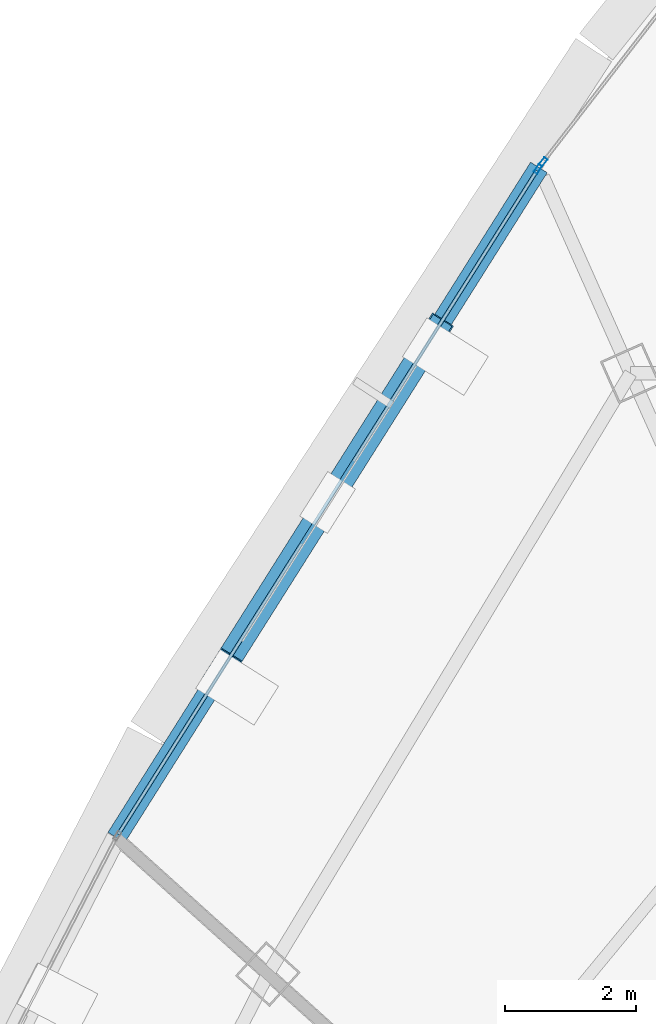
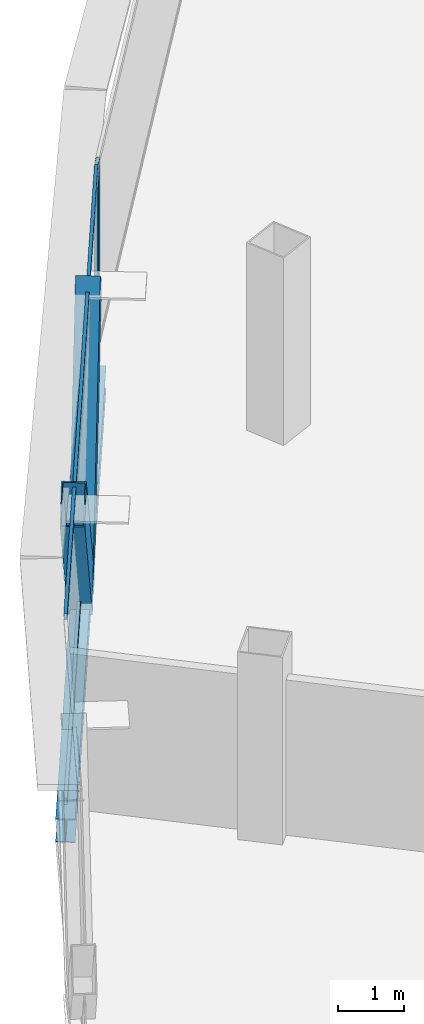
# One storey, part 16 of 27: 6 members, 1 beam, 2 elements without a shape of their own.
"""IFC4 building model written with IfcOpenShell, lengths in metres."""

from ifc_helpers import new_model, si_unit, direction, frame, origin, origin_2d, place, context, subcontext, project, spatial, hollow_rectangle, i_section, extrude, source, transform, mapped, material, layer, layer_set, material_profile, profile_set, type_object, element, aggregate, save


model = new_model("IFC4")

# Units and contexts
model_context = context("Model", 3, precision=1e-05, world=origin(), true_north=direction((0.0, 1.0)))
body_context = subcontext(model_context, "Body", "Model", "MODEL_VIEW")
ifc_project = project(units=[si_unit("LENGTHUNIT", "METRE"), si_unit("AREAUNIT", "SQUARE_METRE"), si_unit("VOLUMEUNIT", "CUBIC_METRE"), si_unit("PLANEANGLEUNIT", "RADIAN"), si_unit("MASSUNIT", "GRAM", prefix="KILO"), si_unit("THERMODYNAMICTEMPERATUREUNIT", "KELVIN"), si_unit("POWERUNIT", "WATT")], contexts=[model_context])

# Site, building, storey
site_placement = place(None, origin())
site = spatial("IfcSite", under=ifc_project, at=site_placement, CompositionType="ELEMENT")
building_placement = place(site_placement, origin())
building = spatial("IfcBuilding", under=site, at=building_placement, Name="Yunzhuo Pagoda Commons", CompositionType="ELEMENT")
storey_placement = place(building_placement, frame((0.0, 0.0, 344.260009765625)))
storey = spatial("IfcBuildingStorey", under=building, at=storey_placement, Name="L86", CompositionType="ELEMENT", Elevation=344.260009765625)

# Beam
ifc_material_1 = material(Name="Structural steel Q355B", Category="steel")
ifc_material_profile_1 = material_profile(ifc_material_1, i_section(OverallWidth=0.300048828125, OverallDepth=0.43994140625, WebThickness=0.010986328125, FlangeThickness=0.01806640625, at=origin_2d()), Name="Structural steel Q355B")
ifc_profile_set_1 = profile_set([ifc_material_profile_1], Name="Structural steel Q355B")
beam_type = type_object("IfcBeamType", Name="B-SP2 Beam HM 440x300x11x18", PredefinedType="BEAM", material=ifc_profile_set_1)
shared_shape_1 = source(origin(), body_context, "Body", "SweptSolid", [
    extrude(i_section(OverallWidth=0.300048828125, OverallDepth=0.43994140625, WebThickness=0.010986328125, FlangeThickness=0.01806640625, at=origin_2d()), origin(), (0.0, 0.0, 1.0), 12.06982421875),
])
beam_placement = place(storey_placement, frame((36.104736328125, 60.4169921875, -0.47998046875), z_axis=(-0.533456357961, -0.845827591268, 0.0), x_axis=(0.845827591268, -0.533456357961, 0.0)))
element("IfcBeam", 1, at=beam_placement, inside=storey, type_object=beam_type, Name="L86 facade edge spandrel beam F3.1", PredefinedType="BEAM", context=body_context, shape_type="MappedRepresentation", body=[
    mapped(shared_shape_1, transform((0.0, 0.0, 0.0), scale=1.0)),
])

# Members
ifc_material_profile_2 = material_profile(ifc_material_1, hollow_rectangle(XDim=0.3798828125, YDim=0.719970703125, WallThickness=0.02001953125, at=origin_2d()), Name="Structural steel Q355B")
ifc_profile_set_2 = profile_set([ifc_material_profile_2], Name="Structural steel Q355B")
member_type_1 = type_object("IfcMemberType", Name="M-DL3 Brace BOX 720x380x20", PredefinedType="BRACE", material=ifc_profile_set_2)
shared_shape_2 = source(origin(), body_context, "Body", "SweptSolid", [
    extrude(hollow_rectangle(XDim=0.3798828125, YDim=0.719970703125, WallThickness=0.02001953125, at=origin_2d()), origin(), (0.0, 0.0, 1.0), 4.813232421875),
])
for number, where, z_axis, x_axis, name in (
    (2, (32.88525390625, 55.3125, -0.260009765625), (0.334459548167, 0.530245695562, 0.779086845594), (-0.845800210541, 0.533499769305, 0.0), "L86 facade diamond brace F3.1L"),
    (3, (32.88525390625, 55.3125, -0.260009765625), (-0.334468543395, -0.530209233258, 0.77910779899), (0.845777180308, -0.533536279245, 0.0), "L86 facade diamond brace F3.1R"),
):
    element("IfcMember", number, at=place(storey_placement, frame(where, z_axis=z_axis, x_axis=x_axis)), inside=storey, type_object=member_type_1, Name=name, PredefinedType="BRACE", context=body_context, shape_type="MappedRepresentation", body=[
        mapped(shared_shape_2, transform((0.0, 0.0, 0.0), scale=1.0)),
    ])

# Curtain wall, member
ifc_material_2 = material(Name="Anodized aluminium 6063-T6", Category="aluminium")
ifc_layer = layer(ifc_material_2, 0.139892578125)
ifc_layer_set = layer_set([ifc_layer], Name="Anodized aluminium 6063-T6")
curtain_wall_type = type_object("IfcCurtainWallType", Name="CW-HI High-Zone Ribbon Curtain Wall", PredefinedType="NOTDEFINED", material=ifc_layer_set)
curtain_wall_1_placement = place(storey_placement, origin())
curtain_wall_1 = element("IfcCurtainWall", 4, at=curtain_wall_1_placement, inside=storey, type_object=curtain_wall_type, Name="L86 curtain wall CW-L86-F3B2", PredefinedType="NOTDEFINED")
ifc_material_profile_3 = material_profile(ifc_material_2, hollow_rectangle(XDim=0.06005859375, YDim=0.139892578125, WallThickness=0.00341796875, at=origin_2d()), Name="Anodized aluminium 6063-T6")
ifc_profile_set_3 = profile_set([ifc_material_profile_3], Name="Anodized aluminium 6063-T6")
member_type_2 = type_object("IfcMemberType", Name="CW-HI-M Mullion RHS 140x60x3.5", PredefinedType="MULLION", material=ifc_profile_set_3)
shared_shape_3 = source(origin(), body_context, "Body", "SweptSolid", [
    extrude(hollow_rectangle(XDim=0.06005859375, YDim=0.139892578125, WallThickness=0.00341796875, at=origin_2d()), origin(), (0.0, 0.0, 1.0), 3.489990234375),
])
member_1_placement = place(storey_placement, frame((36.0888671875, 60.391845703125, 0.0), z_axis=(0.0, 0.0, 1.0), x_axis=(0.845817518552, -0.533472328532, 0.0)))
member_1 = element("IfcMember", 5, at=member_1_placement, type_object=member_type_2, Name="CW mullion 1", PredefinedType="MULLION", context=body_context, shape_type="MappedRepresentation", body=[
    mapped(shared_shape_3, transform((0.0, 0.0, 0.0), scale=1.0)),
])

curtain_wall_2_placement = place(storey_placement, origin())
curtain_wall_2 = element("IfcCurtainWall", 6, at=curtain_wall_2_placement, inside=storey, type_object=curtain_wall_type, Name="L86 curtain wall CW-L86-F3B1", PredefinedType="NOTDEFINED")
member_2_placement = place(storey_placement, frame((36.16943359375, 60.5, 0.0), z_axis=(0.0, 0.0, 1.0), x_axis=(0.79052744869, -0.612426610189, 0.0)))
member_2 = element("IfcMember", 7, at=member_2_placement, type_object=member_type_2, Name="CW mullion 2", PredefinedType="MULLION", context=body_context, shape_type="MappedRepresentation", body=[
    mapped(shared_shape_3, transform((0.0, 0.0, 0.0), scale=1.0)),
])
aggregate(curtain_wall_2, [member_2])

# Member
ifc_material_profile_4 = material_profile(ifc_material_2, hollow_rectangle(XDim=0.054931640625, YDim=0.1201171875, WallThickness=0.00341796875, at=origin_2d()), Name="Anodized aluminium 6063-T6")
ifc_profile_set_4 = profile_set([ifc_material_profile_4], Name="Anodized aluminium 6063-T6")
member_type_3 = type_object("IfcMemberType", Name="CW-HI-T Transom RHS 120x55x3.5", PredefinedType="USERDEFINED", material=ifc_profile_set_4)
shared_shape_4 = source(origin(), body_context, "Body", "SweptSolid", [
    extrude(hollow_rectangle(XDim=0.054931640625, YDim=0.1201171875, WallThickness=0.00341796875, at=origin_2d()), origin(), (0.0, 0.0, 1.0), 11.9501953125),
])
member_3_placement = place(storey_placement, frame((36.07275390625, 60.366455078125, 0.027587890625), z_axis=(-0.533467130189, -0.845820797219, 0.0), x_axis=(0.845820797219, -0.533467130189, 0.0)))
member_3 = element("IfcMember", 8, at=member_3_placement, type_object=member_type_3, Name="CW transom 1.1", ObjectType="TRANSOM", PredefinedType="USERDEFINED", context=body_context, shape_type="MappedRepresentation", body=[
    mapped(shared_shape_4, transform((0.0, 0.0, 0.0), scale=1.0)),
])

member_4_placement = place(storey_placement, frame((36.07275390625, 60.366455078125, 3.46240234375), z_axis=(-0.533467130189, -0.845820797219, 0.0), x_axis=(0.845820797219, -0.533467130189, 0.0)))
member_4 = element("IfcMember", 9, at=member_4_placement, type_object=member_type_3, Name="CW transom 1.2", ObjectType="TRANSOM", PredefinedType="USERDEFINED", context=body_context, shape_type="MappedRepresentation", body=[
    mapped(shared_shape_4, transform((0.0, 0.0, 0.0), scale=1.0)),
])

aggregate(curtain_wall_1, [member_1, member_3, member_4])

save(model, "model.ifc")
